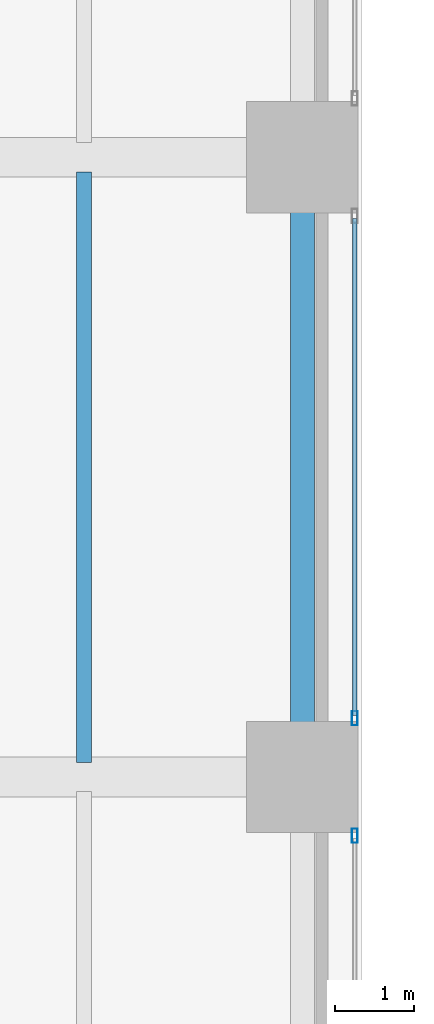
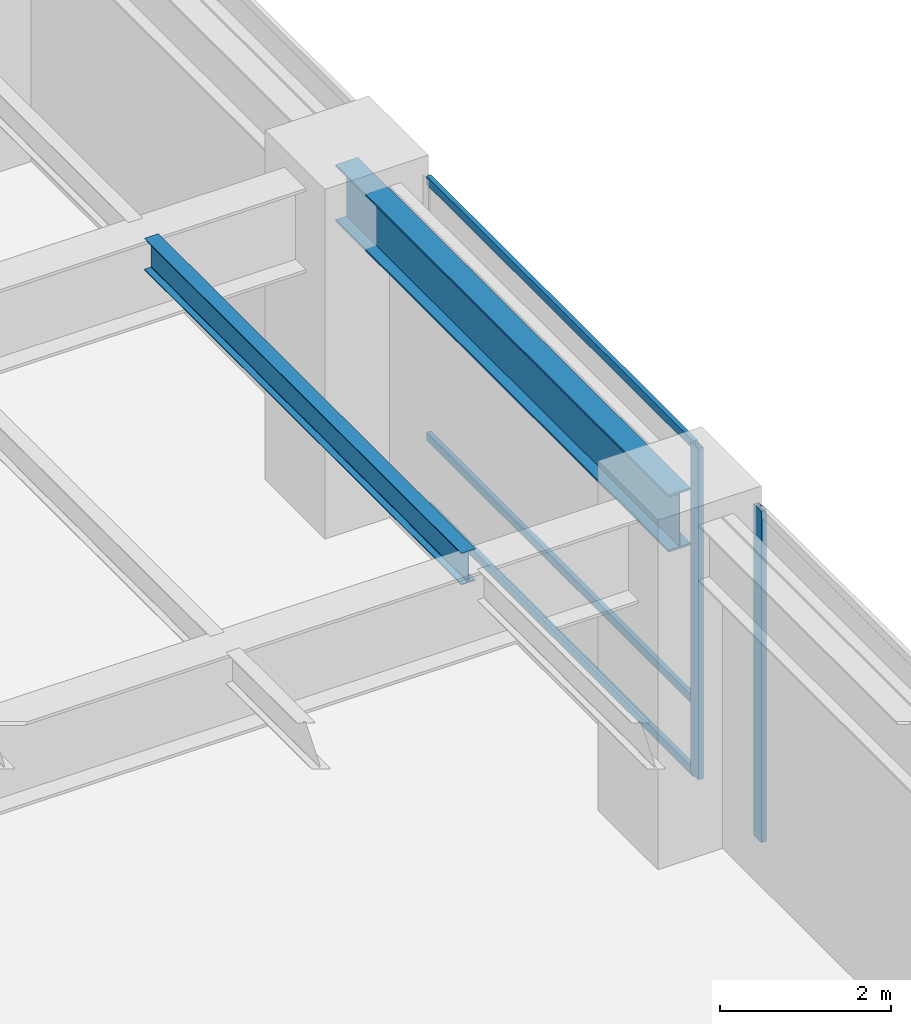
# One storey, part 4 of 24: 5 members, 2 beams, 2 elements without a shape of their own.
"""IFC4 building model written with IfcOpenShell, lengths in metres."""

from ifc_helpers import new_model, si_unit, direction, frame, origin, origin_2d, place, context, subcontext, project, spatial, hollow_rectangle, i_section, extrude, source, transform, mapped, material, layer, layer_set, material_profile, profile_set, type_object, type_shapes, element, aggregate, save


model = new_model("IFC4")

# Units and contexts
model_context = context("Model", 3, precision=1e-05, world=origin(), true_north=direction((0.0, 1.0)))
body_context = subcontext(model_context, "Body", "Model", "MODEL_VIEW")
ifc_project = project(units=[si_unit("LENGTHUNIT", "METRE"), si_unit("AREAUNIT", "SQUARE_METRE"), si_unit("VOLUMEUNIT", "CUBIC_METRE"), si_unit("PLANEANGLEUNIT", "RADIAN"), si_unit("MASSUNIT", "GRAM", prefix="KILO")], contexts=[model_context])

# Site, building, storey
site_placement = place(None, origin())
site = spatial("IfcSite", under=ifc_project, at=site_placement, CompositionType="ELEMENT")
building_placement = place(site_placement, origin())
building = spatial("IfcBuilding", under=site, at=building_placement, Name="Tolvann Quenvar Hotel", CompositionType="ELEMENT")
storey_placement = place(building_placement, frame((0.0, 0.0, 6.0)))
storey = spatial("IfcBuildingStorey", under=building, at=storey_placement, Name="L01", CompositionType="ELEMENT", Elevation=6.0)

# Beams
ifc_material_1 = material(Name="Steel Grade 350", Category="steel")
ifc_material_profile_1 = material_profile(ifc_material_1, i_section(OverallWidth=0.300048828125, OverallDepth=0.81591796875, WebThickness=0.010009765625, FlangeThickness=0.028076171875, at=origin_2d()), Name="800WB192")
ifc_profile_set_1 = profile_set([ifc_material_profile_1], Name="Steel Grade 350")
beam_type_1 = type_object("IfcBeamType", Name="BM_GIRD_800WB192", PredefinedType="BEAM", material=ifc_profile_set_1)
shared_shape_1 = source(origin(), body_context, "Body", "SweptSolid", [
    extrude(i_section(OverallWidth=0.300048828125, OverallDepth=0.81591796875, WebThickness=0.010009765625, FlangeThickness=0.028076171875, at=origin_2d()), origin(), (0.0, 0.0, 1.0), 7.800048828125),
])
type_shapes(beam_type_1, [shared_shape_1])
beam_1_placement = place(storey_placement, frame((18.75, 8.199951171875, 4.33203125), z_axis=(0.0, 1.0, 0.0), x_axis=(-1.0, 0.0, 0.0)))
element("IfcBeam", 1, at=beam_1_placement, inside=storey, type_object=beam_type_1, Name="BM-L01-NS-APW-1", PredefinedType="BEAM", context=body_context, shape_type="MappedRepresentation", body=[
    mapped(shared_shape_1, transform((0.0, 0.0, 0.0), x_axis=(1.0, 0.0, 0.0), y_axis=(0.0, 1.0, 0.0), z_axis=(0.0, 0.0, 1.0), scale=1.0)),
])
ifc_material_profile_2 = material_profile(ifc_material_1, i_section(OverallWidth=0.18994140625, OverallDepth=0.4541015625, WebThickness=0.008544921875, FlangeThickness=0.0126953125, FilletRadius=0.011474609375, at=origin_2d()), Name="460UB67")
ifc_profile_set_2 = profile_set([ifc_material_profile_2], Name="Steel Grade 350")
beam_type_2 = type_object("IfcBeamType", Name="BM_JOIST_460UB67", PredefinedType="JOIST", material=ifc_profile_set_2)
shared_shape_2 = source(origin(), body_context, "Body", "SweptSolid", [
    extrude(i_section(OverallWidth=0.18994140625, OverallDepth=0.4541015625, WebThickness=0.008544921875, FlangeThickness=0.0126953125, FilletRadius=0.011474609375, at=origin_2d()), origin(), (0.0, 0.0, 1.0), 7.429931640625),
])
type_shapes(beam_type_2, [shared_shape_2])
beam_2_placement = place(storey_placement, frame((16.0, 8.385009765625, 4.512939453125), z_axis=(0.0, 1.0, 0.0), x_axis=(-1.0, 0.0, 0.0)))
element("IfcBeam", 2, at=beam_2_placement, inside=storey, type_object=beam_type_2, Name="BJ-L01-160-82", PredefinedType="JOIST", context=body_context, shape_type="MappedRepresentation", body=[
    mapped(shared_shape_2, transform((0.0, 0.0, 0.0), x_axis=(1.0, 0.0, 0.0), y_axis=(0.0, 1.0, 0.0), z_axis=(0.0, 0.0, 1.0), scale=1.0)),
])

# Curtain wall, members
ifc_material_2 = material(Name="Thermally broken anodised architectural aluminium 6063-T6 and laminated low-E glass", Category="aluminium")
ifc_layer = layer(ifc_material_2, 0.179931640625)
ifc_layer_set = layer_set([ifc_layer], Name="Thermally broken anodised architectural aluminium 6063-T6 and laminated low-E glass")
curtain_wall_type = type_object("IfcCurtainWallType", Name="CW_SYS_ARCH_01", PredefinedType="USERDEFINED", material=ifc_layer_set)
curtain_wall_1_placement = place(storey_placement, origin())
curtain_wall_1 = element("IfcCurtainWall", 3, at=curtain_wall_1_placement, inside=storey, type_object=curtain_wall_type, Name="Curtain Wall CW-ARCH-01 (CWR-L01-E01-S3)", ObjectType="UNITISED CURTAIN WALL", PredefinedType="USERDEFINED")
ifc_material_3 = material(Name="Anodised architectural aluminium 6063-T6 framing", Category="aluminium")
ifc_material_profile_3 = material_profile(ifc_material_3, hollow_rectangle(XDim=0.06005859375, YDim=0.1201171875, WallThickness=0.00341796875, at=origin_2d()), Name="120x60x3.5RHS")
ifc_profile_set_3 = profile_set([ifc_material_profile_3], Name="Anodised architectural aluminium 6063-T6 framing")
member_type_1 = type_object("IfcMemberType", Name="CW_TRAN_120x60", PredefinedType="USERDEFINED", material=ifc_profile_set_3)
shared_shape_3 = source(origin(), body_context, "Body", "SweptSolid", [
    extrude(hollow_rectangle(XDim=0.06005859375, YDim=0.1201171875, WallThickness=0.00341796875, at=origin_2d()), origin(), (0.0, 0.0, 1.0), 6.251953125),
])
type_shapes(member_type_1, [shared_shape_3])
member_1_placement = place(storey_placement, frame((19.409912109375, 8.97412109375, 0.030029296875), z_axis=(0.0, 1.0, 0.0), x_axis=(-1.0, 0.0, 0.0)))
member_1 = element("IfcMember", 4, at=member_1_placement, type_object=member_type_1, Name="CW-ARCH-01 transom 1.1", ObjectType="TRANSOM", PredefinedType="USERDEFINED", context=body_context, shape_type="MappedRepresentation", body=[
    mapped(shared_shape_3, transform((0.0, 0.0, 0.0), x_axis=(1.0, 0.0, 0.0), y_axis=(0.0, 1.0, 0.0), z_axis=(0.0, 0.0, 1.0), scale=1.0)),
])
member_2_placement = place(storey_placement, frame((19.409912109375, 8.97412109375, 1.050048828125), z_axis=(0.0, 1.0, 0.0), x_axis=(-1.0, 0.0, 0.0)))
member_2 = element("IfcMember", 5, at=member_2_placement, type_object=member_type_1, Name="CW-ARCH-01 transom 1.2", ObjectType="TRANSOM", PredefinedType="USERDEFINED", context=body_context, shape_type="MappedRepresentation", body=[
    mapped(shared_shape_3, transform((0.0, 0.0, 0.0), x_axis=(1.0, 0.0, 0.0), y_axis=(0.0, 1.0, 0.0), z_axis=(0.0, 0.0, 1.0), scale=1.0)),
])
member_3_placement = place(storey_placement, frame((19.409912109375, 8.97412109375, 4.7099609375), z_axis=(0.0, 1.0, 0.0), x_axis=(-1.0, 0.0, 0.0)))
member_3 = element("IfcMember", 6, at=member_3_placement, type_object=member_type_1, Name="CW-ARCH-01 transom 1.3", ObjectType="TRANSOM", PredefinedType="USERDEFINED", context=body_context, shape_type="MappedRepresentation", body=[
    mapped(shared_shape_3, transform((0.0, 0.0, 0.0), x_axis=(1.0, 0.0, 0.0), y_axis=(0.0, 1.0, 0.0), z_axis=(0.0, 0.0, 1.0), scale=1.0)),
])

# Curtain wall, member
curtain_wall_2_placement = place(storey_placement, origin())
curtain_wall_2 = element("IfcCurtainWall", 7, at=curtain_wall_2_placement, inside=storey, type_object=curtain_wall_type, Name="Curtain Wall CW-ARCH-01 (CWR-L01-E01-S2)", ObjectType="UNITISED CURTAIN WALL", PredefinedType="USERDEFINED")
ifc_material_profile_4 = material_profile(ifc_material_3, hollow_rectangle(XDim=0.070068359375, YDim=0.179931640625, WallThickness=0.00390625, at=origin_2d()), Name="180x70x4RHS")
ifc_profile_set_4 = profile_set([ifc_material_profile_4], Name="Anodised architectural aluminium 6063-T6 framing")
member_type_2 = type_object("IfcMemberType", Name="CW_MULL_180x70", PredefinedType="MULLION", material=ifc_profile_set_4)
shared_shape_4 = source(origin(), body_context, "Body", "SweptSolid", [
    extrude(hollow_rectangle(XDim=0.070068359375, YDim=0.179931640625, WallThickness=0.00390625, at=origin_2d()), origin(), (0.0, 0.0, 1.0), 4.739990234375),
])
type_shapes(member_type_2, [shared_shape_4])
member_4_placement = place(storey_placement, frame((19.409912109375, 7.4609375, 0.0), z_axis=(0.0, 0.0, 1.0), x_axis=(-1.0, 0.0, 0.0)))
member_4 = element("IfcMember", 8, at=member_4_placement, type_object=member_type_2, Name="CW-ARCH-01 mullion 2", PredefinedType="MULLION", context=body_context, shape_type="MappedRepresentation", body=[
    mapped(shared_shape_4, transform((0.0, 0.0, 0.0), x_axis=(1.0, 0.0, 0.0), y_axis=(0.0, 1.0, 0.0), z_axis=(0.0, 0.0, 1.0), scale=1.0)),
])
aggregate(curtain_wall_2, [member_4])

# Member
member_5_placement = place(storey_placement, frame((19.409912109375, 8.93896484375, 0.0), z_axis=(0.0, 0.0, 1.0), x_axis=(-1.0, 0.0, 0.0)))
member_5 = element("IfcMember", 9, at=member_5_placement, type_object=member_type_2, Name="CW-ARCH-01 mullion 1", PredefinedType="MULLION", context=body_context, shape_type="MappedRepresentation", body=[
    mapped(shared_shape_4, transform((0.0, 0.0, 0.0), x_axis=(1.0, 0.0, 0.0), y_axis=(0.0, 1.0, 0.0), z_axis=(0.0, 0.0, 1.0), scale=1.0)),
])

aggregate(curtain_wall_1, [member_5, member_1, member_2, member_3])

save(model, "model.ifc")
